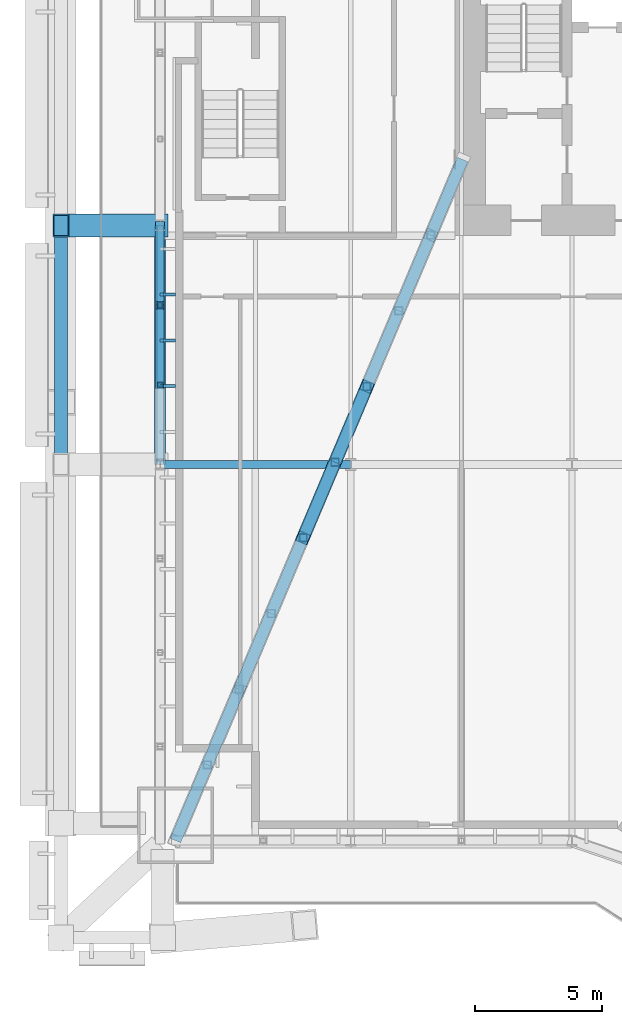
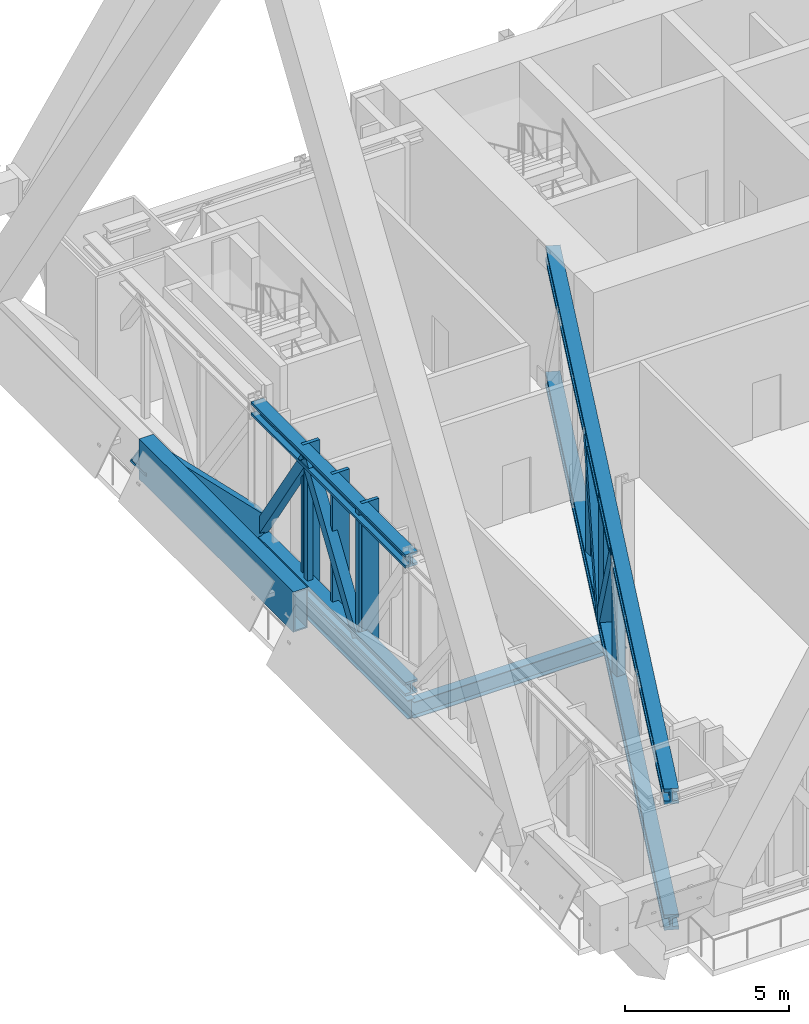
# One storey, part 8 of 32: 17 members, 3 beams, 1 element without a shape of its own.
"""IFC4 building model written with IfcOpenShell, lengths in metres."""

from ifc_helpers import new_model, si_unit, direction, frame, origin, origin_2d, place, context, subcontext, project, spatial, rectangle, hollow_rectangle, i_section, extrude, material, material_profile, profile_set, type_object, element, aggregate, save


model = new_model("IFC4")

# Units and contexts
model_context = context("Model", 3, precision=1e-05, world=origin(), true_north=direction((0.0, 1.0)))
body_context = subcontext(model_context, "Body", "Model", "MODEL_VIEW")
ifc_project = project(units=[si_unit("LENGTHUNIT", "METRE"), si_unit("AREAUNIT", "SQUARE_METRE"), si_unit("VOLUMEUNIT", "CUBIC_METRE"), si_unit("PLANEANGLEUNIT", "RADIAN"), si_unit("MASSUNIT", "GRAM", prefix="KILO")], contexts=[model_context])

# Site, building, storey
site_placement = place(None, origin())
site = spatial("IfcSite", under=ifc_project, at=site_placement, CompositionType="ELEMENT")
building_placement = place(site_placement, origin())
building = spatial("IfcBuilding", under=site, at=building_placement, Name="Bicima Exchange Tower", CompositionType="ELEMENT")
storey_placement = place(building_placement, frame((0.0, 0.0, 84.5)))
storey = spatial("IfcBuildingStorey", under=building, at=storey_placement, Name="L17", CompositionType="ELEMENT", Elevation=84.5)

# Curtain wall, members
ifc_material_1 = material(Name="Anodised bronze aluminium", Category="aluminium")
curtain_wall_type = type_object("IfcCurtainWallType", Name="Band blade screen", PredefinedType="NOTDEFINED", material=ifc_material_1)
curtain_wall_placement = place(storey_placement, origin())
curtain_wall = element("IfcCurtainWall", 1, at=curtain_wall_placement, inside=storey, type_object=curtain_wall_type, Name="Band blade screen L17", PredefinedType="NOTDEFINED")
ifc_material_profile_1 = material_profile(ifc_material_1, rectangle(XDim=0.60009765625, YDim=0.1201171875, at=origin_2d()))
ifc_profile_set_1 = profile_set([ifc_material_profile_1], Name="Anodised bronze aluminium")
member_type_1 = type_object("IfcMemberType", Name="Band blade fin 600 x 120", PredefinedType="USERDEFINED", material=ifc_profile_set_1)
member_1_placement = place(storey_placement, frame((-33.300048828125, -15.320068359375, 0.0), z_axis=(0.0, 0.0, 1.0), x_axis=(1.0, 0.0, 0.0)))
member_1 = element("IfcMember", 2, at=member_1_placement, type_object=member_type_1, Name="Band blade fin 17", ObjectType="FIN", PredefinedType="USERDEFINED", context=body_context, shape_type="SweptSolid", body=[
    extrude(rectangle(XDim=0.60009765625, YDim=0.1201171875, at=origin_2d()), origin(), (0.0, 0.0, 1.0), 5.25),
])
member_2_placement = place(storey_placement, frame((-33.300048828125, -17.1201171875, 0.0), z_axis=(0.0, 0.0, 1.0), x_axis=(1.0, 0.0, 0.0)))
member_2 = element("IfcMember", 3, at=member_2_placement, type_object=member_type_1, Name="Band blade fin 18", ObjectType="FIN", PredefinedType="USERDEFINED", context=body_context, shape_type="SweptSolid", body=[
    extrude(rectangle(XDim=0.60009765625, YDim=0.1201171875, at=origin_2d()), origin(), (0.0, 0.0, 1.0), 5.25),
])
member_3_placement = place(storey_placement, frame((-33.300048828125, -18.920166015625, 0.0), z_axis=(0.0, 0.0, 1.0), x_axis=(1.0, 0.0, 0.0)))
member_3 = element("IfcMember", 4, at=member_3_placement, type_object=member_type_1, Name="Band blade fin 19", ObjectType="FIN", PredefinedType="USERDEFINED", context=body_context, shape_type="SweptSolid", body=[
    extrude(rectangle(XDim=0.60009765625, YDim=0.1201171875, at=origin_2d()), origin(), (0.0, 0.0, 1.0), 5.25),
])
aggregate(curtain_wall, [member_1, member_2, member_3])

# Beam
ifc_material_2 = material(Name="Steel ASTM A572 Gr 50", Category="steel")
ifc_material_profile_2 = material_profile(ifc_material_2, hollow_rectangle(XDim=0.5, YDim=1.5, WallThickness=0.050048828125, at=origin_2d()))
ifc_profile_set_2 = profile_set([ifc_material_profile_2], Name="Steel ASTM A572 Gr 50")
beam_type_1 = type_object("IfcBeamType", Name="Belt girder BOX 500x1500x50", PredefinedType="BEAM", material=ifc_profile_set_2)
beam_1_placement = place(storey_placement, frame((-37.5, -12.60009765625, 4.5), z_axis=(0.0, -1.0, 0.0), x_axis=(1.0, 0.0, 0.0)))
element("IfcBeam", 5, at=beam_1_placement, inside=storey, type_object=beam_type_1, Name="Belt girder", PredefinedType="BEAM", context=body_context, shape_type="SweptSolid", body=[
    extrude(hollow_rectangle(XDim=0.5, YDim=1.5, WallThickness=0.050048828125, at=origin_2d()), origin(), (0.0, 0.0, 1.0), 9.39990234375),
])

# Members
ifc_material_3 = material(Name="Steel ASTM A992 Gr 50", Category="steel")
ifc_material_profile_3 = material_profile(ifc_material_3, i_section(OverallWidth=0.431884765625, OverallDepth=0.497802734375, WebThickness=0.0556640625, FlangeThickness=0.0888671875, at=origin_2d()))
ifc_profile_set_3 = profile_set([ifc_material_profile_3], Name="Steel ASTM A992 Gr 50")
member_type_2 = type_object("IfcMemberType", Name="Belt truss chord W14x500", PredefinedType="CHORD", material=ifc_profile_set_3)
for number, where, z_axis, x_axis, name in (
    (6, (-33.60009765625, -12.60009765625, 5.001220703125), (0.0, -1.0, 0.0), (1.0, 0.0, 0.0), "Top chord"),
    (7, (-33.60009765625, -12.60009765625, 0.248779296875), (0.0, -1.0, 0.0), (1.0, 0.0, 0.0), "Bottom chord"),
):
    element("IfcMember", number, at=place(storey_placement, frame(where, z_axis=z_axis, x_axis=x_axis)), inside=storey, type_object=member_type_2, Name=name, PredefinedType="CHORD", context=body_context, shape_type="SweptSolid", body=[
        extrude(i_section(OverallWidth=0.431884765625, OverallDepth=0.497802734375, WebThickness=0.0556640625, FlangeThickness=0.0888671875, at=origin_2d()), origin(), (0.0, 0.0, 1.0), 9.39990234375),
    ])
ifc_material_profile_4 = material_profile(ifc_material_2, hollow_rectangle(XDim=0.355712890625, YDim=0.355712890625, WallThickness=0.0146484375, at=origin_2d()))
ifc_profile_set_4 = profile_set([ifc_material_profile_4], Name="Steel ASTM A572 Gr 50")
member_type_3 = type_object("IfcMemberType", Name="Belt truss diagonal HSS14x14x5/8", PredefinedType="STRUT", material=ifc_profile_set_4)
for number, where, z_axis, x_axis, name in (
    (8, (-33.60009765625, -12.60009765625, 0.248779296875), (0.0, -0.550437034479, 0.834876680159), (1.0, 0.0, 0.0), "Truss diagonal"),
    (9, (-33.60009765625, -15.7333984375, 5.001220703125), (0.0, -0.550437034479, -0.834876680159), (1.0, 0.0, 0.0), "Truss diagonal"),
):
    element("IfcMember", number, at=place(storey_placement, frame(where, z_axis=z_axis, x_axis=x_axis)), inside=storey, type_object=member_type_3, Name=name, PredefinedType="STRUT", context=body_context, shape_type="SweptSolid", body=[
        extrude(hollow_rectangle(XDim=0.355712890625, YDim=0.355712890625, WallThickness=0.0146484375, at=origin_2d()), origin(), (0.0, 0.0, 1.0), 5.6923828125),
    ])
ifc_material_profile_5 = material_profile(ifc_material_2, hollow_rectangle(XDim=0.203125, YDim=0.203125, WallThickness=0.01171875, at=origin_2d()))
ifc_profile_set_5 = profile_set([ifc_material_profile_5], Name="Steel ASTM A572 Gr 50")
member_type_4 = type_object("IfcMemberType", Name="Belt truss post HSS8x8x1/2", PredefinedType="POST", material=ifc_profile_set_5)
for number, where, z_axis, x_axis, name in (
    (10, (-33.60009765625, -15.7333984375, 0.248779296875), (0.0, 0.0, 1.0), (1.0, 0.0, 0.0), "Truss post"),
    (11, (-33.60009765625, -18.86669921875, 0.248779296875), (0.0, 0.0, 1.0), (1.0, 0.0, 0.0), "Truss post"),
):
    element("IfcMember", number, at=place(storey_placement, frame(where, z_axis=z_axis, x_axis=x_axis)), inside=storey, type_object=member_type_4, Name=name, PredefinedType="POST", context=body_context, shape_type="SweptSolid", body=[
        extrude(hollow_rectangle(XDim=0.203125, YDim=0.203125, WallThickness=0.01171875, at=origin_2d()), origin(), (0.0, 0.0, 1.0), 4.75244140625),
    ])

# Beam
ifc_material_profile_6 = material_profile(ifc_material_3, i_section(OverallWidth=0.256591796875, OverallDepth=0.693359375, WebThickness=0.014404296875, FlangeThickness=0.023681640625, at=origin_2d()))
ifc_profile_set_6 = profile_set([ifc_material_profile_6], Name="Steel ASTM A992 Gr 50")
beam_type_2 = type_object("IfcBeamType", Name="End girder W27x114", PredefinedType="BEAM", material=ifc_profile_set_6)
beam_2_placement = place(storey_placement, frame((-33.60009765625, -12.60009765625, -0.546630859375), z_axis=(0.0, -1.0, 0.0), x_axis=(1.0, 0.0, 0.0)))
element("IfcBeam", 12, at=beam_2_placement, inside=storey, type_object=beam_type_2, Name="End girder", PredefinedType="BEAM", context=body_context, shape_type="SweptSolid", body=[
    extrude(i_section(OverallWidth=0.256591796875, OverallDepth=0.693359375, WebThickness=0.014404296875, FlangeThickness=0.023681640625, at=origin_2d()), origin(), (0.0, 0.0, 1.0), 9.39990234375),
])

# Members
ifc_material_profile_7 = material_profile(ifc_material_2, hollow_rectangle(XDim=0.89990234375, YDim=0.89990234375, WallThickness=0.050048828125, at=origin_2d()))
ifc_profile_set_7 = profile_set([ifc_material_profile_7], Name="Steel ASTM A572 Gr 50")
member_type_5 = type_object("IfcMemberType", Name="Exo outrigger stub BOX 900x900x50", PredefinedType="STRUT", material=ifc_profile_set_7)
member_4_placement = place(storey_placement, frame((-33.60009765625, -12.60009765625, 0.60009765625), z_axis=(-0.707106781187, 0.0, 0.707106781187), x_axis=(0.0, -1.0, 0.0)))
element("IfcMember", 13, at=member_4_placement, inside=storey, type_object=member_type_5, Name="Exo outrigger stub", PredefinedType="STRUT", context=body_context, shape_type="SweptSolid", body=[
    extrude(hollow_rectangle(XDim=0.89990234375, YDim=0.89990234375, WallThickness=0.050048828125, at=origin_2d()), origin(), (0.0, 0.0, 1.0), 5.515380859375),
])
ifc_material_profile_8 = material_profile(ifc_material_3, i_section(OverallWidth=0.45458984375, OverallDepth=0.56884765625, WebThickness=0.077880859375, FlangeThickness=0.124755859375, at=origin_2d()))
ifc_profile_set_8 = profile_set([ifc_material_profile_8], Name="Steel ASTM A992 Gr 50")
member_type_6 = type_object("IfcMemberType", Name="Outrigger truss chord W14x730", PredefinedType="CHORD", material=ifc_profile_set_8)
for number, where, z_axis, x_axis, name in (
    (14, (-21.699951171875, -10.0, 4.965576171875), (-0.388594040369, -0.921409068649, 0.0), (0.921409068649, -0.388594040369, 0.0), "Top chord"),
    (15, (-21.699951171875, -10.0, 0.284423828125), (-0.388594040369, -0.921409068649, 0.0), (0.921409068649, -0.388594040369, 0.0), "Bottom chord"),
):
    element("IfcMember", number, at=place(storey_placement, frame(where, z_axis=z_axis, x_axis=x_axis)), inside=storey, type_object=member_type_6, Name=name, PredefinedType="CHORD", context=body_context, shape_type="SweptSolid", body=[
        extrude(i_section(OverallWidth=0.45458984375, OverallDepth=0.56884765625, WebThickness=0.077880859375, FlangeThickness=0.124755859375, at=origin_2d()), origin(), (0.0, 0.0, 1.0), 29.079345703125),
    ])
ifc_material_profile_9 = material_profile(ifc_material_2, hollow_rectangle(XDim=0.508056640625, YDim=0.508056640625, WallThickness=0.017822265625, at=origin_2d()))
ifc_profile_set_9 = profile_set([ifc_material_profile_9], Name="Steel ASTM A572 Gr 50")
member_type_7 = type_object("IfcMemberType", Name="Outrigger truss diagonal HSS20x20x3/4", PredefinedType="STRUT", material=ifc_profile_set_9)
for number, where, z_axis, x_axis, name in (
    (16, (-25.466796875, -18.931396484375, 4.965576171875), (-0.220709854177, -0.523402559673, -0.823004812135), (0.92142757548, -0.38855015525, 0.0), "Truss diagonal"),
    (17, (-26.72216796875, -21.908447265625, 0.284423828125), (-0.220750685657, -0.523397600797, 0.822997014735), (0.921400520551, -0.388614308446, 0.0), "Truss diagonal"),
):
    element("IfcMember", number, at=place(storey_placement, frame(where, z_axis=z_axis, x_axis=x_axis)), inside=storey, type_object=member_type_7, Name=name, PredefinedType="STRUT", context=body_context, shape_type="SweptSolid", body=[
        extrude(hollow_rectangle(XDim=0.508056640625, YDim=0.508056640625, WallThickness=0.017822265625, at=origin_2d()), origin(), (0.0, 0.0, 1.0), 5.68798828125),
    ])
ifc_material_profile_10 = material_profile(ifc_material_2, hollow_rectangle(XDim=0.3046875, YDim=0.3046875, WallThickness=0.01171875, at=origin_2d()))
ifc_profile_set_10 = profile_set([ifc_material_profile_10], Name="Steel ASTM A572 Gr 50")
member_type_8 = type_object("IfcMemberType", Name="Outrigger truss post HSS12x12x1/2", PredefinedType="POST", material=ifc_profile_set_10)
for number, where, z_axis, x_axis, name in (
    (18, (-25.466796875, -18.931396484375, 0.284423828125), (0.0, 0.0, 1.0), (1.0, 0.0, 0.0), "Truss post"),
    (19, (-26.72216796875, -21.908447265625, 0.284423828125), (0.0, 0.0, 1.0), (1.0, 0.0, 0.0), "Truss post"),
    (20, (-27.977783203125, -24.885498046875, 0.284423828125), (0.0, 0.0, 1.0), (1.0, 0.0, 0.0), "Truss post"),
):
    element("IfcMember", number, at=place(storey_placement, frame(where, z_axis=z_axis, x_axis=x_axis)), inside=storey, type_object=member_type_8, Name=name, PredefinedType="POST", context=body_context, shape_type="SweptSolid", body=[
        extrude(hollow_rectangle(XDim=0.3046875, YDim=0.3046875, WallThickness=0.01171875, at=origin_2d()), origin(), (0.0, 0.0, 1.0), 4.68115234375),
    ])

# Beam
ifc_material_profile_11 = material_profile(ifc_material_3, i_section(OverallWidth=0.3251953125, OverallDepth=0.612060546875, WebThickness=0.0126953125, FlangeThickness=0.01904296875, at=origin_2d()))
ifc_profile_set_11 = profile_set([ifc_material_profile_11], Name="Steel ASTM A992 Gr 50")
beam_type_3 = type_object("IfcBeamType", Name="Row girder W24x104", PredefinedType="BEAM", material=ifc_profile_set_11)
beam_3_placement = place(storey_placement, frame((-33.60009765625, -22.0, -0.506103515625), z_axis=(1.0, 0.0, 0.0), x_axis=(0.0, 1.0, 0.0)))
element("IfcBeam", 21, at=beam_3_placement, inside=storey, type_object=beam_type_3, Name="Row girder", PredefinedType="BEAM", context=body_context, shape_type="SweptSolid", body=[
    extrude(i_section(OverallWidth=0.3251953125, OverallDepth=0.612060546875, WebThickness=0.0126953125, FlangeThickness=0.01904296875, at=origin_2d()), origin(), (0.0, 0.0, 1.0), 7.5),
])

save(model, "model.ifc")
